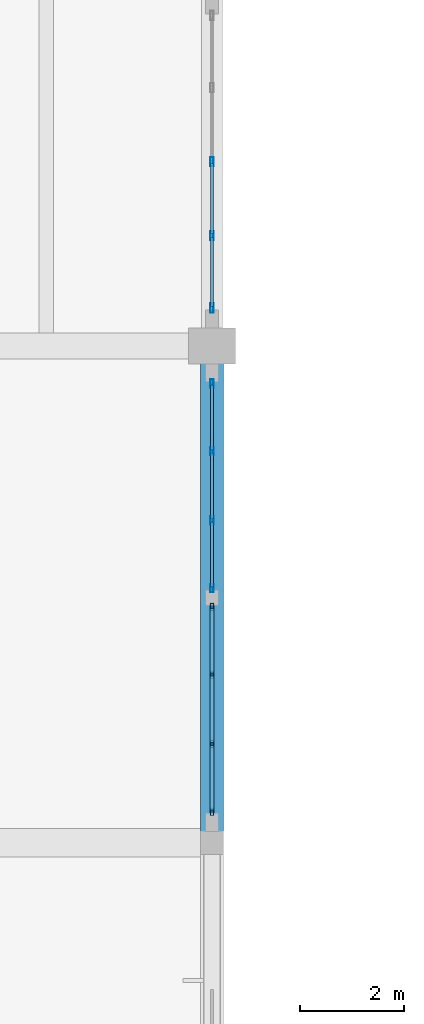
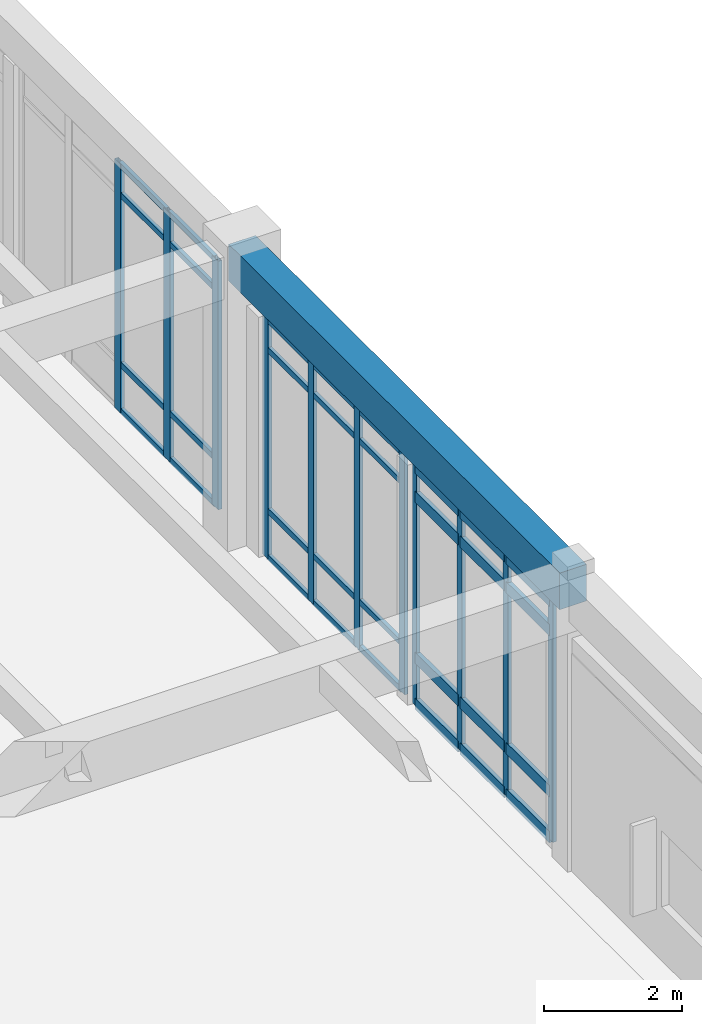
# One storey, part 69 of 138: 43 members, 1 beam, 3 elements without a shape of their own.
"""IFC4 building model written with IfcOpenShell, lengths in metres."""

from ifc_helpers import new_model, si_unit, direction, frame, origin, origin_2d, place, context, subcontext, project, spatial, rectangle, hollow_rectangle, extrude, material, layer, layer_set, material_profile, profile_set, type_object, element, aggregate, save


model = new_model("IFC4")

# Units and contexts
model_context = context("Model", 3, precision=1e-05, world=origin(), true_north=direction((0.0, 1.0)))
body_context = subcontext(model_context, "Body", "Model", "MODEL_VIEW")
ifc_project = project(units=[si_unit("LENGTHUNIT", "METRE"), si_unit("AREAUNIT", "SQUARE_METRE"), si_unit("VOLUMEUNIT", "CUBIC_METRE"), si_unit("PLANEANGLEUNIT", "RADIAN"), si_unit("MASSUNIT", "GRAM", prefix="KILO")], contexts=[model_context])

# Site, building, storey
site_placement = place(None, origin())
site = spatial("IfcSite", under=ifc_project, at=site_placement, CompositionType="ELEMENT")
building_placement = place(site_placement, origin())
building = spatial("IfcBuilding", under=site, at=building_placement, Name="Fikremerkos Civic Library", CompositionType="ELEMENT")
storey_placement = place(building_placement, origin())
storey = spatial("IfcBuildingStorey", under=building, at=storey_placement, Name="L00", CompositionType="ELEMENT", Elevation=0.0)

# Curtain wall, members
ifc_material_1 = material(Name="Anodized aluminium Frame", Category="aluminium")
ifc_layer_1 = layer(ifc_material_1, 0.159912109375, Name="Anodized aluminium Frame")
ifc_layer_set_1 = layer_set([ifc_layer_1], Name="Anodized aluminium Frame")
curtain_wall_type_1 = type_object("IfcCurtainWallType", Name="Unitised curtain wall CW-13 3700x3200", PredefinedType="USERDEFINED", material=ifc_layer_set_1)
curtain_wall_1_placement = place(storey_placement, origin())
curtain_wall_1 = element("IfcCurtainWall", 1, at=curtain_wall_1_placement, inside=storey, type_object=curtain_wall_type_1, Name="Unitised curtain wall CW-13 L00 #67", ObjectType="UNITISED CURTAIN WALL", PredefinedType="USERDEFINED")
ifc_material_profile_1 = material_profile(ifc_material_1, hollow_rectangle(XDim=0.06494140625, YDim=0.179931640625, WallThickness=0.00439453125, at=origin_2d()), Name="ALU 180x65x4.5")
ifc_profile_set_1 = profile_set([ifc_material_profile_1], Name="Anodized aluminium Frame")
member_type_1 = type_object("IfcMemberType", Name="Curtain mullion CWM-01 ALU 180x65x4.5", PredefinedType="MULLION", material=ifc_profile_set_1)
member_1_placement = place(storey_placement, frame((147.199951171875, 61.156982421875, 0.0), z_axis=(0.0, 0.0, 1.0), x_axis=(1.0, 0.0, 0.0)))
member_1 = element("IfcMember", 2, at=member_1_placement, type_object=member_type_1, Name="CW-13 mullion 3", PredefinedType="MULLION", context=body_context, shape_type="SweptSolid", body=[
    extrude(hollow_rectangle(XDim=0.06494140625, YDim=0.179931640625, WallThickness=0.00439453125, at=origin_2d()), origin(), (0.0, 0.0, 1.0), 4.39990234375),
])
member_2_placement = place(storey_placement, frame((147.199951171875, 59.7275390625, 0.0), z_axis=(0.0, 0.0, 1.0), x_axis=(1.0, 0.0, 0.0)))
member_2 = element("IfcMember", 3, at=member_2_placement, type_object=member_type_1, Name="CW-13 mullion 4", PredefinedType="MULLION", context=body_context, shape_type="SweptSolid", body=[
    extrude(hollow_rectangle(XDim=0.06494140625, YDim=0.179931640625, WallThickness=0.00439453125, at=origin_2d()), origin(), (0.0, 0.0, 1.0), 4.39990234375),
])
member_3_placement = place(storey_placement, frame((147.199951171875, 58.33056640625, 0.0), z_axis=(0.0, 0.0, 1.0), x_axis=(1.0, 0.0, 0.0)))
member_3 = element("IfcMember", 4, at=member_3_placement, type_object=member_type_1, Name="CW-13 mullion 5", PredefinedType="MULLION", context=body_context, shape_type="SweptSolid", body=[
    extrude(hollow_rectangle(XDim=0.06494140625, YDim=0.179931640625, WallThickness=0.00439453125, at=origin_2d()), origin(), (0.0, 0.0, 1.0), 4.39990234375),
])

ifc_layer_2 = layer(ifc_material_1, 0.159912109375, Name="Anodized aluminium Frame")
ifc_layer_set_2 = layer_set([ifc_layer_2], Name="Anodized aluminium Frame")
curtain_wall_type_2 = type_object("IfcCurtainWallType", Name="Unitised curtain wall CW-14 4100x3200", PredefinedType="USERDEFINED", material=ifc_layer_set_2)
curtain_wall_2_placement = place(storey_placement, origin())
curtain_wall_2 = element("IfcCurtainWall", 5, at=curtain_wall_2_placement, inside=storey, type_object=curtain_wall_type_2, Name="Unitised curtain wall CW-14 L00 #68", ObjectType="UNITISED CURTAIN WALL", PredefinedType="USERDEFINED")
ifc_material_profile_2 = material_profile(ifc_material_1, hollow_rectangle(XDim=0.06005859375, YDim=0.159912109375, WallThickness=0.00390625, at=origin_2d()), Name="ALU 160x60x4")
ifc_profile_set_2 = profile_set([ifc_material_profile_2], Name="Anodized aluminium Frame")
member_type_2 = type_object("IfcMemberType", Name="Curtain mullion CWM-02 ALU 160x60x4", PredefinedType="MULLION", material=ifc_profile_set_2)
member_4_placement = place(storey_placement, frame((147.199951171875, 56.8720703125, 0.0), z_axis=(0.0, 0.0, 1.0), x_axis=(1.0, 0.0, 0.0)))
member_4 = element("IfcMember", 6, at=member_4_placement, type_object=member_type_2, Name="CW-14 mullion 1", PredefinedType="MULLION", context=body_context, shape_type="SweptSolid", body=[
    extrude(hollow_rectangle(XDim=0.06005859375, YDim=0.159912109375, WallThickness=0.00390625, at=origin_2d()), origin(), (0.0, 0.0, 1.0), 4.25),
])
member_5_placement = place(storey_placement, frame((147.199951171875, 55.563720703125, 0.0), z_axis=(0.0, 0.0, 1.0), x_axis=(1.0, 0.0, 0.0)))
member_5 = element("IfcMember", 7, at=member_5_placement, type_object=member_type_2, Name="CW-14 mullion 2", PredefinedType="MULLION", context=body_context, shape_type="SweptSolid", body=[
    extrude(hollow_rectangle(XDim=0.06005859375, YDim=0.159912109375, WallThickness=0.00390625, at=origin_2d()), origin(), (0.0, 0.0, 1.0), 4.25),
])
member_6_placement = place(storey_placement, frame((147.199951171875, 54.2255859375, 0.0), z_axis=(0.0, 0.0, 1.0), x_axis=(1.0, 0.0, 0.0)))
member_6 = element("IfcMember", 8, at=member_6_placement, type_object=member_type_2, Name="CW-14 mullion 3", PredefinedType="MULLION", context=body_context, shape_type="SweptSolid", body=[
    extrude(hollow_rectangle(XDim=0.06005859375, YDim=0.159912109375, WallThickness=0.00390625, at=origin_2d()), origin(), (0.0, 0.0, 1.0), 4.25),
])
member_7_placement = place(storey_placement, frame((147.199951171875, 52.91748046875, 0.0), z_axis=(0.0, 0.0, 1.0), x_axis=(1.0, 0.0, 0.0)))
member_7 = element("IfcMember", 9, at=member_7_placement, type_object=member_type_2, Name="CW-14 mullion 4", PredefinedType="MULLION", context=body_context, shape_type="SweptSolid", body=[
    extrude(hollow_rectangle(XDim=0.06005859375, YDim=0.159912109375, WallThickness=0.00390625, at=origin_2d()), origin(), (0.0, 0.0, 1.0), 4.25),
])

ifc_layer_3 = layer(ifc_material_1, 0.159912109375, Name="Anodized aluminium Frame")
ifc_layer_set_3 = layer_set([ifc_layer_3], Name="Anodized aluminium Frame")
curtain_wall_type_3 = type_object("IfcCurtainWallType", Name="Unitised curtain wall CW-15 2900x3600", PredefinedType="USERDEFINED", material=ifc_layer_set_3)
curtain_wall_3_placement = place(storey_placement, origin())
curtain_wall_3 = element("IfcCurtainWall", 10, at=curtain_wall_3_placement, inside=storey, type_object=curtain_wall_type_3, Name="Unitised curtain wall CW-15 L00 #69", ObjectType="UNITISED CURTAIN WALL", PredefinedType="USERDEFINED")
ifc_material_profile_3 = material_profile(ifc_material_1, hollow_rectangle(XDim=0.06005859375, YDim=0.139892578125, WallThickness=0.00390625, at=origin_2d()), Name="ALU 140x60x4")
ifc_profile_set_3 = profile_set([ifc_material_profile_3], Name="Anodized aluminium Frame")
member_type_3 = type_object("IfcMemberType", Name="Curtain mullion CWM-03 ALU 140x60x4", PredefinedType="MULLION", material=ifc_profile_set_3)
member_8_placement = place(storey_placement, frame((147.199951171875, 52.5576171875, 0.0), z_axis=(0.0, 0.0, 1.0), x_axis=(1.0, 0.0, 0.0)))
member_8 = element("IfcMember", 11, at=member_8_placement, type_object=member_type_3, Name="CW-15 mullion 1", PredefinedType="MULLION", context=body_context, shape_type="SweptSolid", body=[
    extrude(hollow_rectangle(XDim=0.06005859375, YDim=0.139892578125, WallThickness=0.00390625, at=origin_2d()), origin(), (0.0, 0.0, 1.0), 4.25),
])
member_9_placement = place(storey_placement, frame((147.199951171875, 51.249267578125, 0.0), z_axis=(0.0, 0.0, 1.0), x_axis=(1.0, 0.0, 0.0)))
member_9 = element("IfcMember", 12, at=member_9_placement, type_object=member_type_3, Name="CW-15 mullion 2", PredefinedType="MULLION", context=body_context, shape_type="SweptSolid", body=[
    extrude(hollow_rectangle(XDim=0.06005859375, YDim=0.139892578125, WallThickness=0.00390625, at=origin_2d()), origin(), (0.0, 0.0, 1.0), 4.25),
])
member_10_placement = place(storey_placement, frame((147.199951171875, 49.9111328125, 0.0), z_axis=(0.0, 0.0, 1.0), x_axis=(1.0, 0.0, 0.0)))
member_10 = element("IfcMember", 13, at=member_10_placement, type_object=member_type_3, Name="CW-15 mullion 3", PredefinedType="MULLION", context=body_context, shape_type="SweptSolid", body=[
    extrude(hollow_rectangle(XDim=0.06005859375, YDim=0.139892578125, WallThickness=0.00390625, at=origin_2d()), origin(), (0.0, 0.0, 1.0), 4.25),
])
member_11_placement = place(storey_placement, frame((147.199951171875, 48.60302734375, 0.0), z_axis=(0.0, 0.0, 1.0), x_axis=(1.0, 0.0, 0.0)))
member_11 = element("IfcMember", 14, at=member_11_placement, type_object=member_type_3, Name="CW-15 mullion 4", PredefinedType="MULLION", context=body_context, shape_type="SweptSolid", body=[
    extrude(hollow_rectangle(XDim=0.06005859375, YDim=0.139892578125, WallThickness=0.00390625, at=origin_2d()), origin(), (0.0, 0.0, 1.0), 4.25),
])

# Member
ifc_material_profile_4 = material_profile(ifc_material_1, hollow_rectangle(XDim=0.06005859375, YDim=0.10009765625, WallThickness=0.00390625, at=origin_2d()), Name="ALU 100x60x4")
ifc_profile_set_4 = profile_set([ifc_material_profile_4], Name="Anodized aluminium Frame")
member_type_4 = type_object("IfcMemberType", Name="Curtain transom CWT-03 ALU 100x60x4", PredefinedType="USERDEFINED", material=ifc_profile_set_4)
member_12_placement = place(storey_placement, frame((147.199951171875, 61.12451171875, 0.030029296875), z_axis=(0.0, -1.0, 0.0), x_axis=(1.0, 0.0, 0.0)))
member_12 = element("IfcMember", 15, at=member_12_placement, type_object=member_type_4, Name="CW-13 transom 3.1", ObjectType="TRANSOM", PredefinedType="USERDEFINED", context=body_context, shape_type="SweptSolid", body=[
    extrude(hollow_rectangle(XDim=0.06005859375, YDim=0.10009765625, WallThickness=0.00390625, at=origin_2d()), origin(), (0.0, 0.0, 1.0), 1.364501953125),
])

member_13_placement = place(storey_placement, frame((147.199951171875, 61.12451171875, 0.85009765625), z_axis=(0.0, -1.0, 0.0), x_axis=(1.0, 0.0, 0.0)))
member_13 = element("IfcMember", 16, at=member_13_placement, type_object=member_type_4, Name="CW-13 transom 3.2", ObjectType="TRANSOM", PredefinedType="USERDEFINED", context=body_context, shape_type="SweptSolid", body=[
    extrude(hollow_rectangle(XDim=0.06005859375, YDim=0.10009765625, WallThickness=0.00390625, at=origin_2d()), origin(), (0.0, 0.0, 1.0), 1.364501953125),
])

member_14_placement = place(storey_placement, frame((147.199951171875, 61.12451171875, 3.85009765625), z_axis=(0.0, -1.0, 0.0), x_axis=(1.0, 0.0, 0.0)))
member_14 = element("IfcMember", 17, at=member_14_placement, type_object=member_type_4, Name="CW-13 transom 3.3", ObjectType="TRANSOM", PredefinedType="USERDEFINED", context=body_context, shape_type="SweptSolid", body=[
    extrude(hollow_rectangle(XDim=0.06005859375, YDim=0.10009765625, WallThickness=0.00390625, at=origin_2d()), origin(), (0.0, 0.0, 1.0), 1.364501953125),
])

member_15_placement = place(storey_placement, frame((147.199951171875, 61.12451171875, 4.3701171875), z_axis=(0.0, -1.0, 0.0), x_axis=(1.0, 0.0, 0.0)))
member_15 = element("IfcMember", 18, at=member_15_placement, type_object=member_type_4, Name="CW-13 transom 3.4", ObjectType="TRANSOM", PredefinedType="USERDEFINED", context=body_context, shape_type="SweptSolid", body=[
    extrude(hollow_rectangle(XDim=0.06005859375, YDim=0.10009765625, WallThickness=0.00390625, at=origin_2d()), origin(), (0.0, 0.0, 1.0), 1.364501953125),
])

member_16_placement = place(storey_placement, frame((147.199951171875, 59.695068359375, 0.030029296875), z_axis=(0.0, -1.0, 0.0), x_axis=(1.0, 0.0, 0.0)))
member_16 = element("IfcMember", 19, at=member_16_placement, type_object=member_type_4, Name="CW-13 transom 4.1", ObjectType="TRANSOM", PredefinedType="USERDEFINED", context=body_context, shape_type="SweptSolid", body=[
    extrude(hollow_rectangle(XDim=0.06005859375, YDim=0.10009765625, WallThickness=0.00390625, at=origin_2d()), origin(), (0.0, 0.0, 1.0), 1.33203125),
])

member_17_placement = place(storey_placement, frame((147.199951171875, 59.695068359375, 0.85009765625), z_axis=(0.0, -1.0, 0.0), x_axis=(1.0, 0.0, 0.0)))
member_17 = element("IfcMember", 20, at=member_17_placement, type_object=member_type_4, Name="CW-13 transom 4.2", ObjectType="TRANSOM", PredefinedType="USERDEFINED", context=body_context, shape_type="SweptSolid", body=[
    extrude(hollow_rectangle(XDim=0.06005859375, YDim=0.10009765625, WallThickness=0.00390625, at=origin_2d()), origin(), (0.0, 0.0, 1.0), 1.33203125),
])

member_18_placement = place(storey_placement, frame((147.199951171875, 59.695068359375, 3.85009765625), z_axis=(0.0, -1.0, 0.0), x_axis=(1.0, 0.0, 0.0)))
member_18 = element("IfcMember", 21, at=member_18_placement, type_object=member_type_4, Name="CW-13 transom 4.3", ObjectType="TRANSOM", PredefinedType="USERDEFINED", context=body_context, shape_type="SweptSolid", body=[
    extrude(hollow_rectangle(XDim=0.06005859375, YDim=0.10009765625, WallThickness=0.00390625, at=origin_2d()), origin(), (0.0, 0.0, 1.0), 1.33203125),
])

member_19_placement = place(storey_placement, frame((147.199951171875, 59.695068359375, 4.3701171875), z_axis=(0.0, -1.0, 0.0), x_axis=(1.0, 0.0, 0.0)))
member_19 = element("IfcMember", 22, at=member_19_placement, type_object=member_type_4, Name="CW-13 transom 4.4", ObjectType="TRANSOM", PredefinedType="USERDEFINED", context=body_context, shape_type="SweptSolid", body=[
    extrude(hollow_rectangle(XDim=0.06005859375, YDim=0.10009765625, WallThickness=0.00390625, at=origin_2d()), origin(), (0.0, 0.0, 1.0), 1.33203125),
])

aggregate(curtain_wall_1, [member_1, member_2, member_3, member_12, member_13, member_14, member_15, member_16, member_17, member_18, member_19])

member_20_placement = place(storey_placement, frame((147.199951171875, 56.842041015625, 0.030029296875), z_axis=(0.0, -1.0, 0.0), x_axis=(1.0, 0.0, 0.0)))
member_20 = element("IfcMember", 23, at=member_20_placement, type_object=member_type_4, Name="CW-14 transom 1.1", ObjectType="TRANSOM", PredefinedType="USERDEFINED", context=body_context, shape_type="SweptSolid", body=[
    extrude(hollow_rectangle(XDim=0.06005859375, YDim=0.10009765625, WallThickness=0.00390625, at=origin_2d()), origin(), (0.0, 0.0, 1.0), 1.248291015625),
])

member_21_placement = place(storey_placement, frame((147.199951171875, 56.842041015625, 0.85009765625), z_axis=(0.0, -1.0, 0.0), x_axis=(1.0, 0.0, 0.0)))
member_21 = element("IfcMember", 24, at=member_21_placement, type_object=member_type_4, Name="CW-14 transom 1.2", ObjectType="TRANSOM", PredefinedType="USERDEFINED", context=body_context, shape_type="SweptSolid", body=[
    extrude(hollow_rectangle(XDim=0.06005859375, YDim=0.10009765625, WallThickness=0.00390625, at=origin_2d()), origin(), (0.0, 0.0, 1.0), 1.248291015625),
])

member_22_placement = place(storey_placement, frame((147.199951171875, 56.842041015625, 3.699951171875), z_axis=(0.0, -1.0, 0.0), x_axis=(1.0, 0.0, 0.0)))
member_22 = element("IfcMember", 25, at=member_22_placement, type_object=member_type_4, Name="CW-14 transom 1.3", ObjectType="TRANSOM", PredefinedType="USERDEFINED", context=body_context, shape_type="SweptSolid", body=[
    extrude(hollow_rectangle(XDim=0.06005859375, YDim=0.10009765625, WallThickness=0.00390625, at=origin_2d()), origin(), (0.0, 0.0, 1.0), 1.248291015625),
])

member_23_placement = place(storey_placement, frame((147.199951171875, 56.842041015625, 4.219970703125), z_axis=(0.0, -1.0, 0.0), x_axis=(1.0, 0.0, 0.0)))
member_23 = element("IfcMember", 26, at=member_23_placement, type_object=member_type_4, Name="CW-14 transom 1.4", ObjectType="TRANSOM", PredefinedType="USERDEFINED", context=body_context, shape_type="SweptSolid", body=[
    extrude(hollow_rectangle(XDim=0.06005859375, YDim=0.10009765625, WallThickness=0.00390625, at=origin_2d()), origin(), (0.0, 0.0, 1.0), 1.248291015625),
])

member_24_placement = place(storey_placement, frame((147.199951171875, 55.533935546875, 0.030029296875), z_axis=(0.0, -1.0, 0.0), x_axis=(1.0, 0.0, 0.0)))
member_24 = element("IfcMember", 27, at=member_24_placement, type_object=member_type_4, Name="CW-14 transom 2.1", ObjectType="TRANSOM", PredefinedType="USERDEFINED", context=body_context, shape_type="SweptSolid", body=[
    extrude(hollow_rectangle(XDim=0.06005859375, YDim=0.10009765625, WallThickness=0.00390625, at=origin_2d()), origin(), (0.0, 0.0, 1.0), 1.2783203125),
])

member_25_placement = place(storey_placement, frame((147.199951171875, 55.533935546875, 0.85009765625), z_axis=(0.0, -1.0, 0.0), x_axis=(1.0, 0.0, 0.0)))
member_25 = element("IfcMember", 28, at=member_25_placement, type_object=member_type_4, Name="CW-14 transom 2.2", ObjectType="TRANSOM", PredefinedType="USERDEFINED", context=body_context, shape_type="SweptSolid", body=[
    extrude(hollow_rectangle(XDim=0.06005859375, YDim=0.10009765625, WallThickness=0.00390625, at=origin_2d()), origin(), (0.0, 0.0, 1.0), 1.2783203125),
])

member_26_placement = place(storey_placement, frame((147.199951171875, 55.533935546875, 3.699951171875), z_axis=(0.0, -1.0, 0.0), x_axis=(1.0, 0.0, 0.0)))
member_26 = element("IfcMember", 29, at=member_26_placement, type_object=member_type_4, Name="CW-14 transom 2.3", ObjectType="TRANSOM", PredefinedType="USERDEFINED", context=body_context, shape_type="SweptSolid", body=[
    extrude(hollow_rectangle(XDim=0.06005859375, YDim=0.10009765625, WallThickness=0.00390625, at=origin_2d()), origin(), (0.0, 0.0, 1.0), 1.2783203125),
])

member_27_placement = place(storey_placement, frame((147.199951171875, 55.533935546875, 4.219970703125), z_axis=(0.0, -1.0, 0.0), x_axis=(1.0, 0.0, 0.0)))
member_27 = element("IfcMember", 30, at=member_27_placement, type_object=member_type_4, Name="CW-14 transom 2.4", ObjectType="TRANSOM", PredefinedType="USERDEFINED", context=body_context, shape_type="SweptSolid", body=[
    extrude(hollow_rectangle(XDim=0.06005859375, YDim=0.10009765625, WallThickness=0.00390625, at=origin_2d()), origin(), (0.0, 0.0, 1.0), 1.2783203125),
])

member_28_placement = place(storey_placement, frame((147.199951171875, 54.195556640625, 0.030029296875), z_axis=(0.0, -1.0, 0.0), x_axis=(1.0, 0.0, 0.0)))
member_28 = element("IfcMember", 31, at=member_28_placement, type_object=member_type_4, Name="CW-14 transom 3.1", ObjectType="TRANSOM", PredefinedType="USERDEFINED", context=body_context, shape_type="SweptSolid", body=[
    extrude(hollow_rectangle(XDim=0.06005859375, YDim=0.10009765625, WallThickness=0.00390625, at=origin_2d()), origin(), (0.0, 0.0, 1.0), 1.248046875),
])

member_29_placement = place(storey_placement, frame((147.199951171875, 54.195556640625, 0.85009765625), z_axis=(0.0, -1.0, 0.0), x_axis=(1.0, 0.0, 0.0)))
member_29 = element("IfcMember", 32, at=member_29_placement, type_object=member_type_4, Name="CW-14 transom 3.2", ObjectType="TRANSOM", PredefinedType="USERDEFINED", context=body_context, shape_type="SweptSolid", body=[
    extrude(hollow_rectangle(XDim=0.06005859375, YDim=0.10009765625, WallThickness=0.00390625, at=origin_2d()), origin(), (0.0, 0.0, 1.0), 1.248046875),
])

member_30_placement = place(storey_placement, frame((147.199951171875, 54.195556640625, 3.699951171875), z_axis=(0.0, -1.0, 0.0), x_axis=(1.0, 0.0, 0.0)))
member_30 = element("IfcMember", 33, at=member_30_placement, type_object=member_type_4, Name="CW-14 transom 3.3", ObjectType="TRANSOM", PredefinedType="USERDEFINED", context=body_context, shape_type="SweptSolid", body=[
    extrude(hollow_rectangle(XDim=0.06005859375, YDim=0.10009765625, WallThickness=0.00390625, at=origin_2d()), origin(), (0.0, 0.0, 1.0), 1.248046875),
])

member_31_placement = place(storey_placement, frame((147.199951171875, 54.195556640625, 4.219970703125), z_axis=(0.0, -1.0, 0.0), x_axis=(1.0, 0.0, 0.0)))
member_31 = element("IfcMember", 34, at=member_31_placement, type_object=member_type_4, Name="CW-14 transom 3.4", ObjectType="TRANSOM", PredefinedType="USERDEFINED", context=body_context, shape_type="SweptSolid", body=[
    extrude(hollow_rectangle(XDim=0.06005859375, YDim=0.10009765625, WallThickness=0.00390625, at=origin_2d()), origin(), (0.0, 0.0, 1.0), 1.248046875),
])

aggregate(curtain_wall_2, [member_4, member_5, member_6, member_7, member_20, member_21, member_22, member_23, member_24, member_25, member_26, member_27, member_28, member_29, member_30, member_31])

ifc_material_profile_5 = material_profile(ifc_material_1, hollow_rectangle(XDim=0.070068359375, YDim=0.199951171875, WallThickness=0.0048828125, at=origin_2d()), Name="ALU 200x70x5")
ifc_profile_set_5 = profile_set([ifc_material_profile_5], Name="Anodized aluminium Frame")
member_type_5 = type_object("IfcMemberType", Name="Curtain transom CWT-04 ALU 200x70x5", PredefinedType="USERDEFINED", material=ifc_profile_set_5)
member_32_placement = place(storey_placement, frame((147.199951171875, 52.527587890625, 0.034912109375), z_axis=(0.0, -1.0, 0.0), x_axis=(1.0, 0.0, 0.0)))
member_32 = element("IfcMember", 35, at=member_32_placement, type_object=member_type_5, Name="CW-15 transom 1.1", ObjectType="TRANSOM", PredefinedType="USERDEFINED", context=body_context, shape_type="SweptSolid", body=[
    extrude(hollow_rectangle(XDim=0.070068359375, YDim=0.199951171875, WallThickness=0.0048828125, at=origin_2d()), origin(), (0.0, 0.0, 1.0), 1.248291015625),
])

member_33_placement = place(storey_placement, frame((147.199951171875, 52.527587890625, 0.85009765625), z_axis=(0.0, -1.0, 0.0), x_axis=(1.0, 0.0, 0.0)))
member_33 = element("IfcMember", 36, at=member_33_placement, type_object=member_type_5, Name="CW-15 transom 1.2", ObjectType="TRANSOM", PredefinedType="USERDEFINED", context=body_context, shape_type="SweptSolid", body=[
    extrude(hollow_rectangle(XDim=0.070068359375, YDim=0.199951171875, WallThickness=0.0048828125, at=origin_2d()), origin(), (0.0, 0.0, 1.0), 1.248291015625),
])

member_34_placement = place(storey_placement, frame((147.199951171875, 52.527587890625, 3.699951171875), z_axis=(0.0, -1.0, 0.0), x_axis=(1.0, 0.0, 0.0)))
member_34 = element("IfcMember", 37, at=member_34_placement, type_object=member_type_5, Name="CW-15 transom 1.3", ObjectType="TRANSOM", PredefinedType="USERDEFINED", context=body_context, shape_type="SweptSolid", body=[
    extrude(hollow_rectangle(XDim=0.070068359375, YDim=0.199951171875, WallThickness=0.0048828125, at=origin_2d()), origin(), (0.0, 0.0, 1.0), 1.248291015625),
])

member_35_placement = place(storey_placement, frame((147.199951171875, 52.527587890625, 4.215087890625), z_axis=(0.0, -1.0, 0.0), x_axis=(1.0, 0.0, 0.0)))
member_35 = element("IfcMember", 38, at=member_35_placement, type_object=member_type_5, Name="CW-15 transom 1.4", ObjectType="TRANSOM", PredefinedType="USERDEFINED", context=body_context, shape_type="SweptSolid", body=[
    extrude(hollow_rectangle(XDim=0.070068359375, YDim=0.199951171875, WallThickness=0.0048828125, at=origin_2d()), origin(), (0.0, 0.0, 1.0), 1.248291015625),
])

member_36_placement = place(storey_placement, frame((147.199951171875, 51.21923828125, 0.034912109375), z_axis=(0.0, -1.0, 0.0), x_axis=(1.0, 0.0, 0.0)))
member_36 = element("IfcMember", 39, at=member_36_placement, type_object=member_type_5, Name="CW-15 transom 2.1", ObjectType="TRANSOM", PredefinedType="USERDEFINED", context=body_context, shape_type="SweptSolid", body=[
    extrude(hollow_rectangle(XDim=0.070068359375, YDim=0.199951171875, WallThickness=0.0048828125, at=origin_2d()), origin(), (0.0, 0.0, 1.0), 1.278076171875),
])

member_37_placement = place(storey_placement, frame((147.199951171875, 51.21923828125, 0.85009765625), z_axis=(0.0, -1.0, 0.0), x_axis=(1.0, 0.0, 0.0)))
member_37 = element("IfcMember", 40, at=member_37_placement, type_object=member_type_5, Name="CW-15 transom 2.2", ObjectType="TRANSOM", PredefinedType="USERDEFINED", context=body_context, shape_type="SweptSolid", body=[
    extrude(hollow_rectangle(XDim=0.070068359375, YDim=0.199951171875, WallThickness=0.0048828125, at=origin_2d()), origin(), (0.0, 0.0, 1.0), 1.278076171875),
])

member_38_placement = place(storey_placement, frame((147.199951171875, 51.21923828125, 3.699951171875), z_axis=(0.0, -1.0, 0.0), x_axis=(1.0, 0.0, 0.0)))
member_38 = element("IfcMember", 41, at=member_38_placement, type_object=member_type_5, Name="CW-15 transom 2.3", ObjectType="TRANSOM", PredefinedType="USERDEFINED", context=body_context, shape_type="SweptSolid", body=[
    extrude(hollow_rectangle(XDim=0.070068359375, YDim=0.199951171875, WallThickness=0.0048828125, at=origin_2d()), origin(), (0.0, 0.0, 1.0), 1.278076171875),
])

member_39_placement = place(storey_placement, frame((147.199951171875, 51.21923828125, 4.215087890625), z_axis=(0.0, -1.0, 0.0), x_axis=(1.0, 0.0, 0.0)))
member_39 = element("IfcMember", 42, at=member_39_placement, type_object=member_type_5, Name="CW-15 transom 2.4", ObjectType="TRANSOM", PredefinedType="USERDEFINED", context=body_context, shape_type="SweptSolid", body=[
    extrude(hollow_rectangle(XDim=0.070068359375, YDim=0.199951171875, WallThickness=0.0048828125, at=origin_2d()), origin(), (0.0, 0.0, 1.0), 1.278076171875),
])

member_40_placement = place(storey_placement, frame((147.199951171875, 49.881103515625, 0.034912109375), z_axis=(0.0, -1.0, 0.0), x_axis=(1.0, 0.0, 0.0)))
member_40 = element("IfcMember", 43, at=member_40_placement, type_object=member_type_5, Name="CW-15 transom 3.1", ObjectType="TRANSOM", PredefinedType="USERDEFINED", context=body_context, shape_type="SweptSolid", body=[
    extrude(hollow_rectangle(XDim=0.070068359375, YDim=0.199951171875, WallThickness=0.0048828125, at=origin_2d()), origin(), (0.0, 0.0, 1.0), 1.248046875),
])

member_41_placement = place(storey_placement, frame((147.199951171875, 49.881103515625, 0.85009765625), z_axis=(0.0, -1.0, 0.0), x_axis=(1.0, 0.0, 0.0)))
member_41 = element("IfcMember", 44, at=member_41_placement, type_object=member_type_5, Name="CW-15 transom 3.2", ObjectType="TRANSOM", PredefinedType="USERDEFINED", context=body_context, shape_type="SweptSolid", body=[
    extrude(hollow_rectangle(XDim=0.070068359375, YDim=0.199951171875, WallThickness=0.0048828125, at=origin_2d()), origin(), (0.0, 0.0, 1.0), 1.248046875),
])

member_42_placement = place(storey_placement, frame((147.199951171875, 49.881103515625, 3.699951171875), z_axis=(0.0, -1.0, 0.0), x_axis=(1.0, 0.0, 0.0)))
member_42 = element("IfcMember", 45, at=member_42_placement, type_object=member_type_5, Name="CW-15 transom 3.3", ObjectType="TRANSOM", PredefinedType="USERDEFINED", context=body_context, shape_type="SweptSolid", body=[
    extrude(hollow_rectangle(XDim=0.070068359375, YDim=0.199951171875, WallThickness=0.0048828125, at=origin_2d()), origin(), (0.0, 0.0, 1.0), 1.248046875),
])

member_43_placement = place(storey_placement, frame((147.199951171875, 49.881103515625, 4.215087890625), z_axis=(0.0, -1.0, 0.0), x_axis=(1.0, 0.0, 0.0)))
member_43 = element("IfcMember", 46, at=member_43_placement, type_object=member_type_5, Name="CW-15 transom 3.4", ObjectType="TRANSOM", PredefinedType="USERDEFINED", context=body_context, shape_type="SweptSolid", body=[
    extrude(hollow_rectangle(XDim=0.070068359375, YDim=0.199951171875, WallThickness=0.0048828125, at=origin_2d()), origin(), (0.0, 0.0, 1.0), 1.248046875),
])

aggregate(curtain_wall_3, [member_8, member_9, member_10, member_11, member_32, member_33, member_34, member_35, member_36, member_37, member_38, member_39, member_40, member_41, member_42, member_43])

# Beam
ifc_material_2 = material(Name="Concrete C40/50", Category="concrete")
ifc_material_profile_6 = material_profile(ifc_material_2, rectangle(XDim=0.449951171875, YDim=0.64990234375, at=origin_2d()), Name="RC 450x650")
ifc_profile_set_6 = profile_set([ifc_material_profile_6], Name="Concrete C40/50")
beam_type = type_object("IfcBeamType", Name="Primary girder BM-07 RC 450x650", PredefinedType="BEAM", material=ifc_profile_set_6)
beam_placement = place(storey_placement, frame((147.199951171875, 48.0, 4.8349609375), z_axis=(0.0, 1.0, 0.0), x_axis=(-1.0, 0.0, 0.0)))
element("IfcBeam", 47, at=beam_placement, inside=storey, type_object=beam_type, Name="Primary girder BM-07 L00 grid 13", PredefinedType="BEAM", context=body_context, shape_type="SweptSolid", body=[
    extrude(rectangle(XDim=0.449951171875, YDim=0.64990234375, at=origin_2d()), origin(), (0.0, 0.0, 1.0), 9.60009765625),
])

save(model, "model.ifc")
